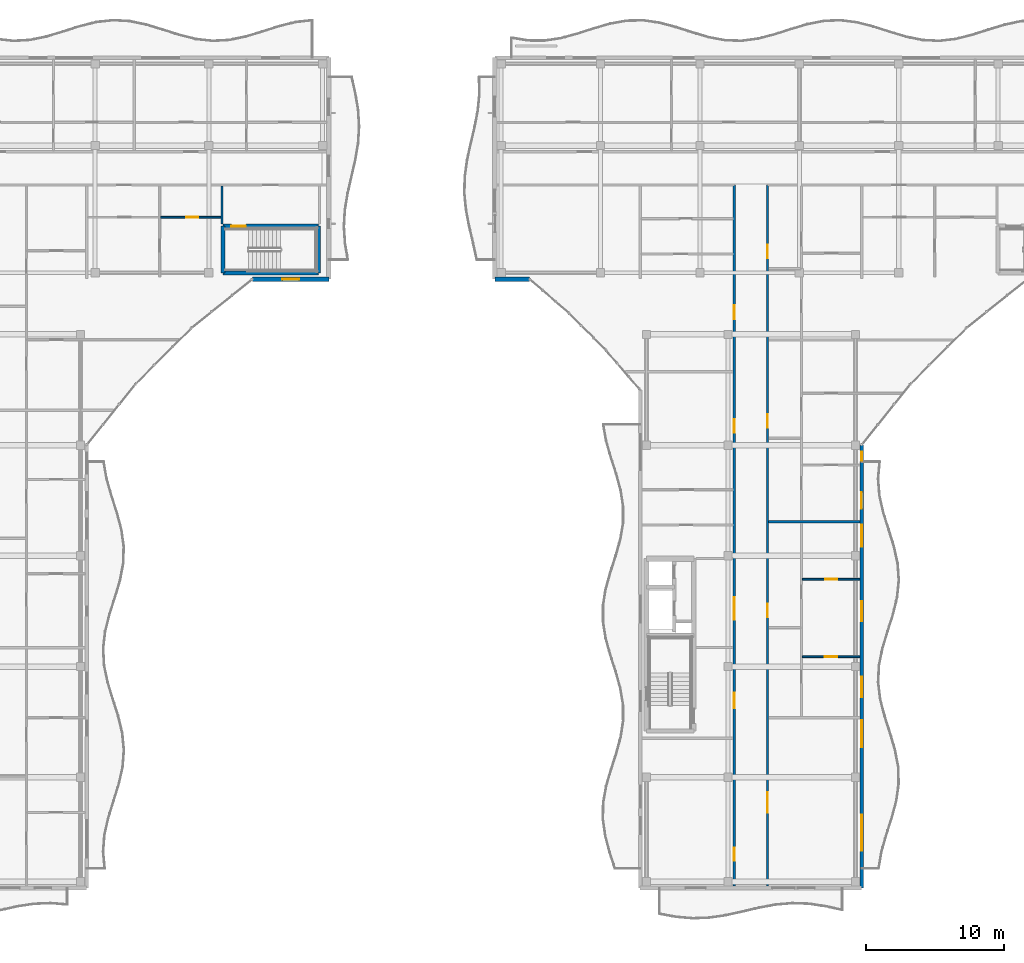
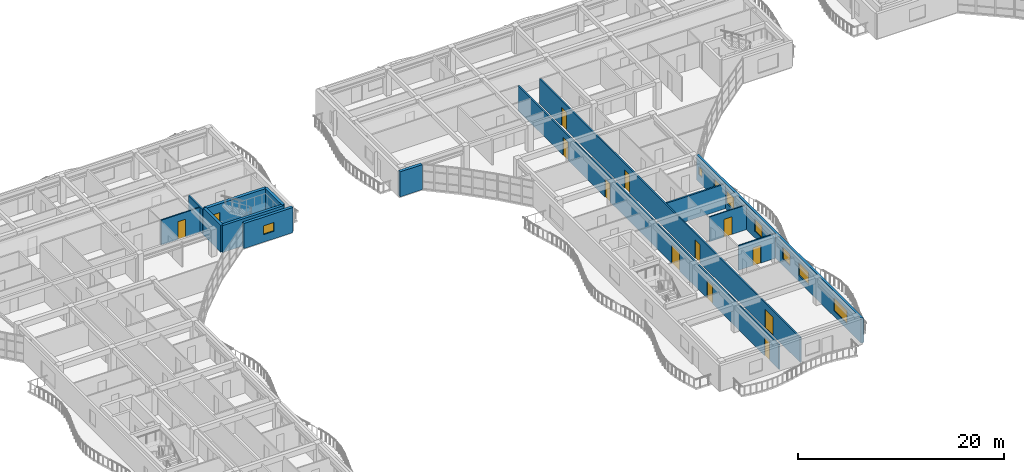
# One storey, part 39 of 76: 14 doors, 14 walls, 7 windows, 21 openings.
"""IFC4 building model written with IfcOpenShell, lengths in metres."""

import ifcopenshell
import ifcopenshell.guid

model = None  # the IFC model being written
_history = None  # IfcOwnerHistory: only IFC2X3 demands one
_inside = {}  # id of a spatial element -> (the spatial element, [elements in it])
_under = {}  # id of a project, library or spatial element -> (it, [spatial elements below it])
_declared = {}  # id of a project -> (the project, [libraries it declares])
_typed = {}  # id of a type object -> (the type object, [elements of that type])
_made_of = {}  # id of a material, layer set ... -> (it, [elements and type objects made of it])


def new_model(schema):
    """Start an empty IFC model of exactly this schema.

    Asked for "IFC4X3", IfcOpenShell would pick the latest addendum, in which some entities
    have other attributes; the version numbers below select the first issue.
    IFC2X3 requires an IfcOwnerHistory on every rooted entity: one is made here for all.
    """
    global model, _history
    if schema == "IFC4X3":
        model = ifcopenshell.file(schema_version=(4, 3, 0, 0))
    else:
        model = ifcopenshell.file(schema=schema)
    _inside.clear()
    _under.clear()
    _declared.clear()
    _typed.clear()
    _made_of.clear()
    _history = None
    if model.schema == "IFC2X3":
        org = make("IfcOrganization", Name="unknown")
        user = make(
            "IfcPersonAndOrganization",
            ThePerson=make("IfcPerson", FamilyName="unknown"),
            TheOrganization=org,
        )
        app = make(
            "IfcApplication",
            ApplicationDeveloper=org,
            Version="unknown",
            ApplicationFullName="unknown",
            ApplicationIdentifier="unknown",
        )
        _history = make(
            "IfcOwnerHistory",
            OwningUser=user,
            OwningApplication=app,
            ChangeAction="ADDED",
            CreationDate=0,
        )
    return model


def make(cls, **values):
    """One entity of the class cls with the attributes given. An attribute that is None is left unset."""
    return model.create_entity(
        cls, **{name: value for name, value in values.items() if value is not None}
    )


def rooted(cls, **values):
    """An entity with a GlobalId (a new one), such as an element, a storey or a relation."""
    return make(cls, GlobalId=ifcopenshell.guid.new(), OwnerHistory=_history, **values)


def si_unit(unit_type, name, prefix=None):
    """IfcSIUnit, for example si_unit("LENGTHUNIT", "METRE", prefix="MILLI")."""
    return make("IfcSIUnit", UnitType=unit_type, Prefix=prefix, Name=name)


def assignment(units):
    """IfcUnitAssignment: the units of a project."""
    return None if units is None else make("IfcUnitAssignment", Units=units)


def point(xyz):
    """IfcCartesianPoint."""
    return None if xyz is None else make("IfcCartesianPoint", Coordinates=xyz)


def direction(xyz):
    """IfcDirection."""
    return None if xyz is None else make("IfcDirection", DirectionRatios=xyz)


def frame(location, z_axis=None, x_axis=None):
    """IfcAxis2Placement3D, a coordinate frame: its origin and axes. An axis left out is left unset."""
    return make(
        "IfcAxis2Placement3D",
        Location=point(location),
        Axis=direction(z_axis),
        RefDirection=direction(x_axis),
    )


def frame_2d(location, x_axis=None):
    """IfcAxis2Placement2D, a coordinate frame in the plane: its origin and x axis."""
    return make(
        "IfcAxis2Placement2D", Location=point(location), RefDirection=direction(x_axis)
    )


def origin():
    """The frame at (0, 0, 0) with its axes left unset."""
    return frame((0.0, 0.0, 0.0))


def place(relative_to, where):
    """IfcLocalPlacement: puts the frame where relative to a parent placement (None: the world)."""
    return make(
        "IfcLocalPlacement", PlacementRelTo=relative_to, RelativePlacement=where
    )


def context(
    kind, dimensions, precision=None, world=None, true_north=None, identifier=None
):
    """IfcGeometricRepresentationContext, for example the 3D "Model" context."""
    return make(
        "IfcGeometricRepresentationContext",
        ContextIdentifier=identifier,
        ContextType=kind,
        CoordinateSpaceDimension=dimensions,
        Precision=precision,
        WorldCoordinateSystem=world,
        TrueNorth=true_north,
    )


def subcontext(parent, identifier, kind, view, scale=None):
    """IfcGeometricRepresentationSubContext, for example "Body" below "Model"."""
    return make(
        "IfcGeometricRepresentationSubContext",
        ContextIdentifier=identifier,
        ContextType=kind,
        ParentContext=parent,
        TargetScale=scale,
        TargetView=view,
    )


def project(units=None, contexts=None):
    """IfcProject with its units and contexts."""
    return rooted(
        "IfcProject",
        Name="project",
        RepresentationContexts=contexts,
        UnitsInContext=assignment(units),
    )


def spatial(cls, under=None, at=None, **own):
    """A site, building, storey or space (cls), placed at a placement, below another one or the project."""
    s = rooted(cls, ObjectPlacement=at, **own)
    if under is not None:
        _under.setdefault(under.id(), (under, []))[1].append(s)
    return s


def profile(cls, at=None, kind="AREA", **sizes):
    """A parametric profile (cls). Its sizes go by their IFC names, for example OverallWidth=200.0."""
    return make(cls, ProfileType=kind, Position=at, **sizes)


def rectangle(**sizes):
    """IfcRectangleProfileDef."""
    return profile("IfcRectangleProfileDef", **sizes)


def extrude(swept, where, along, depth):
    """IfcExtrudedAreaSolid: the profile swept, set in the frame where, extruded along a direction by depth."""
    return make(
        "IfcExtrudedAreaSolid",
        SweptArea=swept,
        Position=where,
        ExtrudedDirection=direction(along),
        Depth=depth,
    )


def shape(context_of_items, identifier, shape_type, items):
    """IfcShapeRepresentation: the items that make up one representation, for example the "Body"."""
    return make(
        "IfcShapeRepresentation",
        ContextOfItems=context_of_items,
        RepresentationIdentifier=identifier,
        RepresentationType=shape_type,
        Items=items,
    )


def material(Name=None, Category=None):
    """IfcMaterial."""
    return make("IfcMaterial", Name=Name, Category=Category)


def layer(
    of_material, thickness, ventilated=None, Name=None, Category=None, Priority=None
):
    """IfcMaterialLayer: one layer of a wall or slab, of a material (None: an air gap)."""
    return make(
        "IfcMaterialLayer",
        Material=of_material,
        LayerThickness=thickness,
        IsVentilated=ventilated,
        Name=Name,
        Category=Category,
        Priority=Priority,
    )


def layer_set(layers, Name=None):
    """IfcMaterialLayerSet."""
    return make("IfcMaterialLayerSet", MaterialLayers=layers, LayerSetName=Name)


def made_of(thing, what):
    """Note that an element or type object is made of a material, layer set ...; save() writes the relation."""
    if what is not None:
        _made_of.setdefault(what.id(), (what, []))[1].append(thing)
    return thing


def type_object(cls, material=None, **own):
    """A type object (cls), such as IfcWallType, which elements share."""
    return made_of(rooted(cls, **own), material)


def element(
    cls,
    number,
    at=None,
    inside=None,
    cuts=None,
    type_object=None,
    material=None,
    context=None,
    identifier="Body",
    shape_type=None,
    held_by="IfcProductDefinitionShape",
    body=None,
    shapes=None,
    **own,
):
    """One element of the class cls, such as IfcWall. Its Tag is "e" and its number.

    at: its placement. inside: the storey or other place that contains it. cuts: it is an
    opening in that element (IfcRelVoidsElement). A single representation is given by context,
    identifier, shape_type and body (its items); several are given by shapes. held_by: the class
    of the entity that holds the representations. save() writes the other relations.
    """
    e = rooted(cls, Tag="e%d" % number, ObjectPlacement=at, **own)
    if body is not None:
        shapes = [shape(context, identifier, shape_type, body)]
    if shapes is not None:
        e.Representation = make(held_by, Representations=shapes)
    if inside is not None:
        _inside.setdefault(inside.id(), (inside, []))[1].append(e)
    if cuts is not None:
        rooted(
            "IfcRelVoidsElement", RelatingBuildingElement=cuts, RelatedOpeningElement=e
        )
    if type_object is not None:
        _typed.setdefault(type_object.id(), (type_object, []))[1].append(e)
    return made_of(e, material)


def fill(opening, filler):
    """IfcRelFillsElement: the door or window that sits in an opening."""
    return rooted(
        "IfcRelFillsElement",
        RelatingOpeningElement=opening,
        RelatedBuildingElement=filler,
    )


def aggregate(whole, parts):
    """IfcRelAggregates: a whole, such as a stair, and the parts it consists of."""
    return rooted("IfcRelAggregates", RelatingObject=whole, RelatedObjects=parts)


def save(model, path):
    """Write the relations noted so far, then the file.

    IfcRelAggregates (storeys below a building ...), IfcRelContainedInSpatialStructure (elements
    in a storey), IfcRelDefinesByType, IfcRelAssociatesMaterial and IfcRelDeclares: one each for
    every whole, place, type object, material and project.
    """
    for whole, parts in _under.values():
        aggregate(whole, parts)
    for where, things in _inside.values():
        rooted(
            "IfcRelContainedInSpatialStructure",
            RelatedElements=things,
            RelatingStructure=where,
        )
    for kind, things in _typed.values():
        rooted("IfcRelDefinesByType", RelatedObjects=things, RelatingType=kind)
    for what, things in _made_of.values():
        rooted("IfcRelAssociatesMaterial", RelatedObjects=things, RelatingMaterial=what)
    for by, libraries in _declared.values():
        rooted("IfcRelDeclares", RelatingContext=by, RelatedDefinitions=libraries)
    model.write(path)


model = new_model("IFC4")

# Units and contexts
model_context = context("Model", 3, precision=1e-05, world=origin(), true_north=direction((0.0, 1.0)))
body_context = subcontext(model_context, "Body", "Model", "MODEL_VIEW")
ifc_project = project(units=[si_unit("LENGTHUNIT", "METRE"), si_unit("AREAUNIT", "SQUARE_METRE"), si_unit("VOLUMEUNIT", "CUBIC_METRE"), si_unit("PLANEANGLEUNIT", "RADIAN"), si_unit("MASSUNIT", "GRAM", prefix="KILO")], contexts=[model_context])

# Site, building, storey
site_placement = place(None, origin())
site = spatial("IfcSite", under=ifc_project, at=site_placement, CompositionType="ELEMENT")
building_placement = place(site_placement, origin())
building = spatial("IfcBuilding", under=site, at=building_placement, Name="Keldmere Railside Commons", CompositionType="ELEMENT")
storey_placement = place(building_placement, frame((0.0, 0.0, 13.760009765625)))
storey = spatial("IfcBuildingStorey", under=building, at=storey_placement, Name="L04", CompositionType="ELEMENT", Elevation=13.760009765625)

# Wall
ifc_material_1 = material(Name="Acoustic Gypsum Board Partition", Category="gypsum")
ifc_layer_1 = layer(ifc_material_1, 0.179931640625, Name="Acoustic Demising Partition 180")
ifc_layer_set_1 = layer_set([ifc_layer_1], Name="Acoustic Gypsum Board Partition")
wall_type_1 = type_object("IfcWallType", Name="Acoustic Demising Partition 180", PredefinedType="PARTITIONING", material=ifc_layer_set_1)
wall_1_placement = place(storey_placement, frame((113.280029296875, 82.449951171875, 0.0), z_axis=(0.0, 0.0, 1.0), x_axis=(1.0, 0.0, 0.0)))
element("IfcWall", 1, at=wall_1_placement, inside=storey, type_object=wall_type_1, Name="IW-1 IW-L04-1064", PredefinedType="PARTITIONING", context=body_context, shape_type="SweptSolid", body=[
    extrude(rectangle(XDim=6.590087890625, YDim=0.179931640625, at=frame_2d((3.294921875, 0.0))), origin(), (0.0, 0.0, 1.0), 2.93505859375),
])

# Wall, opening, door
ifc_layer_2 = layer(ifc_material_1, 0.1201171875, Name="Apartment Interior Partition 120")
ifc_layer_set_2 = layer_set([ifc_layer_2], Name="Acoustic Gypsum Board Partition")
wall_type_2 = type_object("IfcWallType", Name="Apartment Interior Partition 120", PredefinedType="PARTITIONING", material=ifc_layer_set_2)
wall_2_placement = place(storey_placement, frame((115.719970703125, 72.7099609375, 0.0), z_axis=(0.0, 0.0, 1.0), x_axis=(1.0, 0.0, 0.0)))
wall_2 = element("IfcWall", 2, at=wall_2_placement, inside=storey, type_object=wall_type_2, Name="IW-4 IW-L04-1068", PredefinedType="PARTITIONING", context=body_context, shape_type="SweptSolid", body=[
    extrude(rectangle(XDim=4.150146484375, YDim=0.1201171875, at=frame_2d((2.0751953125, 0.0))), origin(), (0.0, 0.0, 1.0), 2.93505859375),
])
opening_1_placement = place(wall_2_placement, frame((1.625, 0.0, 0.0)))
opening_1 = element("IfcOpeningElement", 3, at=opening_1_placement, cuts=wall_2, Name="Opening ID-01", PredefinedType="OPENING", context=body_context, shape_type="SweptSolid", body=[
    extrude(rectangle(XDim=0.89990234375, YDim=2.10009765625, at=frame_2d((0.449951171875, 1.050048828125))), frame((0.0, 0.070068359375, 0.0), z_axis=(0.0, -1.0, 0.0), x_axis=(1.0, 0.0, 0.0)), (0.0, 0.0, 1.0), 0.14013671875),
])
ifc_material_2 = material(Name="Engineered Oak Timber", Category="wood")
door_type_1 = type_object("IfcDoorType", Name="Primary Bedroom Door 900x2100", OperationType="NOTDEFINED", PredefinedType="DOOR", material=ifc_material_2)
door_1_placement = place(opening_1_placement, origin())
door_1 = element("IfcDoor", 4, at=door_1_placement, inside=storey, type_object=door_type_1, Name="ID-01 IDR-L04-0933", OperationType="SINGLE_SWING_LEFT", OverallHeight=2.10009765625, OverallWidth=0.89990234375, PredefinedType="DOOR", context=body_context, shape_type="SweptSolid", body=[
    extrude(rectangle(XDim=0.89990234375, YDim=2.10009765625, at=frame_2d((0.449951171875, 1.050048828125))), frame((0.0, 0.02490234375, 0.0), z_axis=(0.0, -1.0, 0.0), x_axis=(1.0, 0.0, 0.0)), (0.0, 0.0, 1.0), 0.050048828125),
])
fill(opening_1, door_1)

wall_3_placement = place(storey_placement, frame((115.719970703125, 78.31005859375, 0.0), z_axis=(0.0, 0.0, 1.0), x_axis=(1.0, 0.0, 0.0)))
wall_3 = element("IfcWall", 5, at=wall_3_placement, inside=storey, type_object=wall_type_2, Name="IW-4 IW-L04-1069", PredefinedType="PARTITIONING", context=body_context, shape_type="SweptSolid", body=[
    extrude(rectangle(XDim=4.150146484375, YDim=0.1201171875, at=frame_2d((2.0751953125, 0.0))), origin(), (0.0, 0.0, 1.0), 2.93505859375),
])
opening_2_placement = place(wall_3_placement, frame((1.635009765625, 0.0, 0.0)))
opening_2 = element("IfcOpeningElement", 6, at=opening_2_placement, cuts=wall_3, Name="Opening ID-02", PredefinedType="OPENING", context=body_context, shape_type="SweptSolid", body=[
    extrude(rectangle(XDim=0.8798828125, YDim=2.10009765625, at=frame_2d((0.43994140625, 1.050048828125))), frame((0.0, 0.070068359375, 0.0), z_axis=(0.0, -1.0, 0.0), x_axis=(1.0, 0.0, 0.0)), (0.0, 0.0, 1.0), 0.14013671875),
])
door_type_2 = type_object("IfcDoorType", Name="Secondary Bedroom Door 880x2100", OperationType="NOTDEFINED", PredefinedType="DOOR", material=ifc_material_2)
door_2_placement = place(opening_2_placement, origin())
door_2 = element("IfcDoor", 7, at=door_2_placement, inside=storey, type_object=door_type_2, Name="ID-02 IDR-L04-0934", OperationType="SINGLE_SWING_RIGHT", OverallHeight=2.10009765625, OverallWidth=0.8798828125, PredefinedType="DOOR", context=body_context, shape_type="SweptSolid", body=[
    extrude(rectangle(XDim=0.8798828125, YDim=2.10009765625, at=frame_2d((0.43994140625, 1.050048828125))), frame((0.0, 0.02490234375, 0.0), z_axis=(0.0, -1.0, 0.0), x_axis=(1.0, 0.0, 0.0)), (0.0, 0.0, 1.0), 0.050048828125),
])
fill(opening_2, door_2)

# Wall, openings, doors
ifc_layer_3 = layer(ifc_material_1, 0.159912109375, Name="Corridor Fire Partition 160")
ifc_layer_set_3 = layer_set([ifc_layer_3], Name="Acoustic Gypsum Board Partition")
wall_type_3 = type_object("IfcWallType", Name="Corridor Fire Partition 160", PredefinedType="PARTITIONING", material=ifc_layer_set_3)
wall_4_placement = place(storey_placement, frame((110.800048828125, 56.159912109375, 0.0), z_axis=(0.0, 0.0, 1.0), x_axis=(0.0, 1.0, 0.0)))
wall_4 = element("IfcWall", 8, at=wall_4_placement, inside=storey, type_object=wall_type_3, Name="IW-2 IW-L04-1054", PredefinedType="PARTITIONING", context=body_context, shape_type="SweptSolid", body=[
    extrude(rectangle(XDim=50.64013671875, YDim=0.159912109375, at=frame_2d((25.320068359375, 0.0))), origin(), (0.0, 0.0, 1.0), 2.93505859375),
])
opening_3_placement = place(wall_4_placement, frame((12.840087890625, 0.0, 0.0)))
opening_3 = element("IfcOpeningElement", 9, at=opening_3_placement, cuts=wall_4, Name="Opening FD-2", PredefinedType="OPENING", context=body_context, shape_type="SweptSolid", body=[
    extrude(rectangle(XDim=1.10009765625, YDim=2.14990234375, at=frame_2d((0.550048828125, 1.074951171875))), frame((0.0, 0.08984375, 0.0), z_axis=(0.0, -1.0, 0.0), x_axis=(1.0, 0.0, 0.0)), (0.0, 0.0, 1.0), 0.179931640625),
])
opening_4_placement = place(wall_4_placement, frame((19.239990234375, 0.0, 0.0)))
opening_4 = element("IfcOpeningElement", 10, at=opening_4_placement, cuts=wall_4, Name="Opening FD-4", PredefinedType="OPENING", context=body_context, shape_type="SweptSolid", body=[
    extrude(rectangle(XDim=1.60009765625, YDim=2.14990234375, at=frame_2d((0.800048828125, 1.074951171875))), frame((0.0, 0.08984375, 0.0), z_axis=(0.0, -1.0, 0.0), x_axis=(1.0, 0.0, 0.0)), (0.0, 0.0, 1.0), 0.179931640625),
])
opening_5_placement = place(wall_4_placement, frame((1.800048828125, 0.0, 0.0)))
opening_5 = element("IfcOpeningElement", 11, at=opening_5_placement, cuts=wall_4, Name="Opening ID-08", PredefinedType="OPENING", context=body_context, shape_type="SweptSolid", body=[
    extrude(rectangle(XDim=0.9599609375, YDim=2.14990234375, at=frame_2d((0.47998046875, 1.074951171875))), frame((0.0, 0.08984375, 0.0), z_axis=(0.0, -1.0, 0.0), x_axis=(1.0, 0.0, 0.0)), (0.0, 0.0, 1.0), 0.179931640625),
])
opening_6_placement = place(wall_4_placement, frame((32.7451171875, 0.0, 0.0)))
opening_6 = element("IfcOpeningElement", 12, at=opening_6_placement, cuts=wall_4, Name="Opening FD-7", PredefinedType="OPENING", context=body_context, shape_type="SweptSolid", body=[
    extrude(rectangle(XDim=0.97998046875, YDim=2.14990234375, at=frame_2d((0.489990234375, 1.074951171875))), frame((0.0, 0.08984375, 0.0), z_axis=(0.0, -1.0, 0.0), x_axis=(1.0, 0.0, 0.0)), (0.0, 0.0, 1.0), 0.179931640625),
])
opening_7_placement = place(wall_4_placement, frame((40.955078125, 0.0, 0.0)))
opening_7 = element("IfcOpeningElement", 13, at=opening_7_placement, cuts=wall_4, Name="Opening FD-7", PredefinedType="OPENING", context=body_context, shape_type="SweptSolid", body=[
    extrude(rectangle(XDim=0.97998046875, YDim=2.14990234375, at=frame_2d((0.489990234375, 1.074951171875))), frame((0.0, 0.08984375, 0.0), z_axis=(0.0, -1.0, 0.0), x_axis=(1.0, 0.0, 0.0)), (0.0, 0.0, 1.0), 0.179931640625),
])
door_type_3 = type_object("IfcDoorType", Name="Apartment Entrance Acoustic Fire Door 980x2150", OperationType="NOTDEFINED", PredefinedType="DOOR", material=ifc_material_2)
door_3_placement = place(opening_6_placement, origin())
door_3 = element("IfcDoor", 14, at=door_3_placement, inside=storey, type_object=door_type_3, Name="FD-7 IDR-L04-0961", OperationType="SINGLE_SWING_LEFT", OverallHeight=2.14990234375, OverallWidth=0.97998046875, PredefinedType="DOOR", context=body_context, shape_type="SweptSolid", body=[
    extrude(rectangle(XDim=0.97998046875, YDim=2.14990234375, at=frame_2d((0.489990234375, 1.074951171875))), frame((0.0, 0.02490234375, 0.0), z_axis=(0.0, -1.0, 0.0), x_axis=(1.0, 0.0, 0.0)), (0.0, 0.0, 1.0), 0.050048828125),
])
fill(opening_6, door_3)
door_4_placement = place(opening_7_placement, origin())
door_4 = element("IfcDoor", 15, at=door_4_placement, inside=storey, type_object=door_type_3, Name="FD-7 IDR-L04-0964", OperationType="SINGLE_SWING_RIGHT", OverallHeight=2.14990234375, OverallWidth=0.97998046875, PredefinedType="DOOR", context=body_context, shape_type="SweptSolid", body=[
    extrude(rectangle(XDim=0.97998046875, YDim=2.14990234375, at=frame_2d((0.489990234375, 1.074951171875))), frame((0.0, 0.02490234375, 0.0), z_axis=(0.0, -1.0, 0.0), x_axis=(1.0, 0.0, 0.0)), (0.0, 0.0, 1.0), 0.050048828125),
])
fill(opening_7, door_4)
ifc_material_3 = material(Name="Steel F-24 (S235)", Category="steel")
door_type_4 = type_object("IfcDoorType", Name="Corridor Cross-Compartment Double Fire Door 1600x2150", OperationType="DOUBLE_DOOR_SINGLE_SWING", PredefinedType="DOOR", material=ifc_material_3)
door_5_placement = place(opening_4_placement, origin())
door_5 = element("IfcDoor", 16, at=door_5_placement, inside=storey, type_object=door_type_4, Name="FD-4 IDR-L04-0928", OperationType="DOUBLE_DOOR_SINGLE_SWING", OverallHeight=2.14990234375, OverallWidth=1.60009765625, PredefinedType="DOOR", context=body_context, shape_type="SweptSolid", body=[
    extrude(rectangle(XDim=1.60009765625, YDim=2.14990234375, at=frame_2d((0.800048828125, 1.074951171875))), frame((0.0, 0.02490234375, 0.0), z_axis=(0.0, -1.0, 0.0), x_axis=(1.0, 0.0, 0.0)), (0.0, 0.0, 1.0), 0.050048828125),
])
fill(opening_4, door_5)
door_type_5 = type_object("IfcDoorType", Name="Firefighting Lobby Fire Door 1100x2150", OperationType="NOTDEFINED", PredefinedType="DOOR", material=ifc_material_3)
door_6_placement = place(opening_3_placement, origin())
door_6 = element("IfcDoor", 17, at=door_6_placement, inside=storey, type_object=door_type_5, Name="FD-2 IDR-L04-0927", OperationType="SINGLE_SWING_LEFT", OverallHeight=2.14990234375, OverallWidth=1.10009765625, PredefinedType="DOOR", context=body_context, shape_type="SweptSolid", body=[
    extrude(rectangle(XDim=1.10009765625, YDim=2.14990234375, at=frame_2d((0.550048828125, 1.074951171875))), frame((0.0, 0.02490234375, 0.0), z_axis=(0.0, -1.0, 0.0), x_axis=(1.0, 0.0, 0.0)), (0.0, 0.0, 1.0), 0.050048828125),
])
fill(opening_3, door_6)
door_type_6 = type_object("IfcDoorType", Name="Study & Meeting Room Door 960x2150", OperationType="NOTDEFINED", PredefinedType="DOOR", material=ifc_material_2)
door_7_placement = place(opening_5_placement, origin())
door_7 = element("IfcDoor", 18, at=door_7_placement, inside=storey, type_object=door_type_6, Name="ID-08 IDR-L04-0958", OperationType="SINGLE_SWING_RIGHT", OverallHeight=2.14990234375, OverallWidth=0.9599609375, PredefinedType="DOOR", context=body_context, shape_type="SweptSolid", body=[
    extrude(rectangle(XDim=0.9599609375, YDim=2.14990234375, at=frame_2d((0.47998046875, 1.074951171875))), frame((0.0, 0.02490234375, 0.0), z_axis=(0.0, -1.0, 0.0), x_axis=(1.0, 0.0, 0.0)), (0.0, 0.0, 1.0), 0.050048828125),
])
fill(opening_5, door_7)

wall_5_placement = place(storey_placement, frame((113.199951171875, 56.159912109375, 0.0), z_axis=(0.0, 0.0, 1.0), x_axis=(0.0, 1.0, 0.0)))
wall_5 = element("IfcWall", 19, at=wall_5_placement, inside=storey, type_object=wall_type_3, Name="IW-2 IW-L04-1055", PredefinedType="PARTITIONING", context=body_context, shape_type="SweptSolid", body=[
    extrude(rectangle(XDim=50.64013671875, YDim=0.159912109375, at=frame_2d((25.320068359375, 0.0))), origin(), (0.0, 0.0, 1.0), 2.93505859375),
])
opening_8_placement = place(wall_5_placement, frame((5.27001953125, 0.0, 0.0)))
opening_8 = element("IfcOpeningElement", 20, at=opening_8_placement, cuts=wall_5, Name="Opening ID-07", PredefinedType="OPENING", context=body_context, shape_type="SweptSolid", body=[
    extrude(rectangle(XDim=1.5, YDim=2.199951171875, at=frame_2d((0.75, 1.10009765625))), frame((0.0, 0.08984375, 0.0), z_axis=(0.0, -1.0, 0.0), x_axis=(1.0, 0.0, 0.0)), (0.0, 0.0, 1.0), 0.179931640625),
])
opening_9_placement = place(wall_5_placement, frame((19.39990234375, 0.0, 0.0)))
opening_9 = element("IfcOpeningElement", 21, at=opening_9_placement, cuts=wall_5, Name="Opening FD-7", PredefinedType="OPENING", context=body_context, shape_type="SweptSolid", body=[
    extrude(rectangle(XDim=0.97998046875, YDim=2.14990234375, at=frame_2d((0.489990234375, 1.074951171875))), frame((0.0, 0.08984375, 0.0), z_axis=(0.0, -1.0, 0.0), x_axis=(1.0, 0.0, 0.0)), (0.0, 0.0, 1.0), 0.179931640625),
])
opening_10_placement = place(wall_5_placement, frame((33.10009765625, 0.0, 0.0)))
opening_10 = element("IfcOpeningElement", 22, at=opening_10_placement, cuts=wall_5, Name="Opening FD-7", PredefinedType="OPENING", context=body_context, shape_type="SweptSolid", body=[
    extrude(rectangle(XDim=0.97998046875, YDim=2.14990234375, at=frame_2d((0.489990234375, 1.074951171875))), frame((0.0, 0.08984375, 0.0), z_axis=(0.0, -1.0, 0.0), x_axis=(1.0, 0.0, 0.0)), (0.0, 0.0, 1.0), 0.179931640625),
])
opening_11_placement = place(wall_5_placement, frame((45.35009765625, 0.0, 0.0)))
opening_11 = element("IfcOpeningElement", 23, at=opening_11_placement, cuts=wall_5, Name="Opening FD-7", PredefinedType="OPENING", context=body_context, shape_type="SweptSolid", body=[
    extrude(rectangle(XDim=0.97998046875, YDim=2.14990234375, at=frame_2d((0.489990234375, 1.074951171875))), frame((0.0, 0.08984375, 0.0), z_axis=(0.0, -1.0, 0.0), x_axis=(1.0, 0.0, 0.0)), (0.0, 0.0, 1.0), 0.179931640625),
])
door_8_placement = place(opening_9_placement, origin())
door_8 = element("IfcDoor", 24, at=door_8_placement, inside=storey, type_object=door_type_3, Name="FD-7 IDR-L04-0932", OperationType="SINGLE_SWING_RIGHT", OverallHeight=2.14990234375, OverallWidth=0.97998046875, PredefinedType="DOOR", context=body_context, shape_type="SweptSolid", body=[
    extrude(rectangle(XDim=0.97998046875, YDim=2.14990234375, at=frame_2d((0.489990234375, 1.074951171875))), frame((0.0, 0.02490234375, 0.0), z_axis=(0.0, -1.0, 0.0), x_axis=(1.0, 0.0, 0.0)), (0.0, 0.0, 1.0), 0.050048828125),
])
fill(opening_9, door_8)
door_9_placement = place(opening_10_placement, origin())
door_9 = element("IfcDoor", 25, at=door_9_placement, inside=storey, type_object=door_type_3, Name="FD-7 IDR-L04-0937", OperationType="SINGLE_SWING_LEFT", OverallHeight=2.14990234375, OverallWidth=0.97998046875, PredefinedType="DOOR", context=body_context, shape_type="SweptSolid", body=[
    extrude(rectangle(XDim=0.97998046875, YDim=2.14990234375, at=frame_2d((0.489990234375, 1.074951171875))), frame((0.0, 0.02490234375, 0.0), z_axis=(0.0, -1.0, 0.0), x_axis=(1.0, 0.0, 0.0)), (0.0, 0.0, 1.0), 0.050048828125),
])
fill(opening_10, door_9)
door_10_placement = place(opening_11_placement, origin())
door_10 = element("IfcDoor", 26, at=door_10_placement, inside=storey, type_object=door_type_3, Name="FD-7 IDR-L04-0942", OperationType="SINGLE_SWING_RIGHT", OverallHeight=2.14990234375, OverallWidth=0.97998046875, PredefinedType="DOOR", context=body_context, shape_type="SweptSolid", body=[
    extrude(rectangle(XDim=0.97998046875, YDim=2.14990234375, at=frame_2d((0.489990234375, 1.074951171875))), frame((0.0, 0.02490234375, 0.0), z_axis=(0.0, -1.0, 0.0), x_axis=(1.0, 0.0, 0.0)), (0.0, 0.0, 1.0), 0.050048828125),
])
fill(opening_11, door_10)
door_type_7 = type_object("IfcDoorType", Name="Resident Lounge Double Door 1500x2200", OperationType="DOUBLE_DOOR_SINGLE_SWING", PredefinedType="DOOR", material=ifc_material_2)
door_11_placement = place(opening_8_placement, origin())
door_11 = element("IfcDoor", 27, at=door_11_placement, inside=storey, type_object=door_type_7, Name="ID-07 IDR-L04-0929", OperationType="DOUBLE_DOOR_SINGLE_SWING", OverallHeight=2.199951171875, OverallWidth=1.5, PredefinedType="DOOR", context=body_context, shape_type="SweptSolid", body=[
    extrude(rectangle(XDim=1.5, YDim=2.199951171875, at=frame_2d((0.75, 1.10009765625))), frame((0.0, 0.02490234375, 0.0), z_axis=(0.0, -1.0, 0.0), x_axis=(1.0, 0.0, 0.0)), (0.0, 0.0, 1.0), 0.050048828125),
])
fill(opening_8, door_11)

# Wall, opening, window
ifc_material_4 = material(Name="Concrete H-35 (C35/45)", Category="concrete")
ifc_layer_4 = layer(ifc_material_4, 0.320068359375, Name="Exterior Shear Wall 320")
ifc_layer_set_4 = layer_set([ifc_layer_4], Name="Concrete H-35 (C35/45)")
wall_type_4 = type_object("IfcWallType", Name="Exterior Shear Wall 320", PredefinedType="SHEAR", material=ifc_layer_set_4)
wall_6_placement = place(storey_placement, frame((81.5, 100.0, 0.0), z_axis=(0.0, 0.0, 1.0), x_axis=(-1.0, 0.0, 0.0)))
wall_6 = element("IfcWall", 28, at=wall_6_placement, inside=storey, type_object=wall_type_4, Name="ESW-2 EXTC-L04-0355", PredefinedType="SHEAR", context=body_context, shape_type="SweptSolid", body=[
    extrude(rectangle(XDim=5.5, YDim=0.320068359375, at=frame_2d((2.75, 0.0))), origin(), (0.0, 0.0, 1.0), 2.97998046875),
])
opening_12_placement = place(wall_6_placement, frame((2.14990234375, 0.0, 0.89990234375)))
opening_12 = element("IfcOpeningElement", 29, at=opening_12_placement, cuts=wall_6, Name="Opening WN-14", PredefinedType="OPENING", context=body_context, shape_type="SweptSolid", body=[
    extrude(rectangle(XDim=1.199951171875, YDim=1.050048828125, at=frame_2d((0.60009765625, 0.52490234375))), frame((0.0, 0.169921875, 0.0), z_axis=(0.0, -1.0, 0.0), x_axis=(1.0, 0.0, 0.0)), (0.0, 0.0, 1.0), 0.340087890625),
])
ifc_material_5 = material(Name="Low-E Insulated Double Glazing", Category="glass")
window_type_1 = type_object("IfcWindowType", Name="Apartment Kitchen Ribbon Window 1200x1050", PartitioningType="SINGLE_PANEL", PredefinedType="WINDOW", material=ifc_material_5)
window_1_placement = place(opening_12_placement, origin())
window_1 = element("IfcWindow", 30, at=window_1_placement, inside=storey, type_object=window_type_1, Name="WN-14 WIN-L04-0234", OverallHeight=1.050048828125, OverallWidth=1.199951171875, PartitioningType="SINGLE_PANEL", PredefinedType="WINDOW", context=body_context, shape_type="SweptSolid", body=[
    extrude(rectangle(XDim=1.199951171875, YDim=1.050048828125, at=frame_2d((0.60009765625, 0.52490234375))), frame((0.0, 0.030029296875, 0.0), z_axis=(0.0, -1.0, 0.0), x_axis=(1.0, 0.0, 0.0)), (0.0, 0.0, 1.0), 0.06005859375),
])
fill(opening_12, window_1)

# Walls
wall_7_placement = place(storey_placement, frame((96.0, 100.0, 0.0), z_axis=(0.0, 0.0, 1.0), x_axis=(-1.0, 0.0, 0.0)))
element("IfcWall", 31, at=wall_7_placement, inside=storey, type_object=wall_type_4, Name="ESW-2 EXTB-L04-0617", PredefinedType="SHEAR", context=body_context, shape_type="SweptSolid", body=[
    extrude(rectangle(XDim=2.5, YDim=0.320068359375, at=frame_2d((1.25, 0.0))), origin(), (0.0, 0.0, 1.0), 2.97998046875),
])
ifc_layer_5 = layer(ifc_material_4, 0.300048828125, Name="Interior Shear Wall 300")
ifc_layer_set_5 = layer_set([ifc_layer_5], Name="Concrete H-35 (C35/45)")
wall_type_5 = type_object("IfcWallType", Name="Interior Shear Wall 300", PredefinedType="SHEAR", material=ifc_layer_set_5)
wall_8_placement = place(storey_placement, frame((73.85009765625, 100.449951171875, 0.0), z_axis=(0.0, 0.0, 1.0), x_axis=(1.0, 0.0, 0.0)))
element("IfcWall", 32, at=wall_8_placement, inside=storey, type_object=wall_type_5, Name="ISW-2 COREC2S-L04-0254", PredefinedType="SHEAR", context=body_context, shape_type="SweptSolid", body=[
    extrude(rectangle(XDim=6.89990234375, YDim=0.300048828125, at=frame_2d((3.449951171875, 0.0))), origin(), (0.0, 0.0, 1.0), 3.199951171875),
])
for number, where, z_axis, x_axis, name in (
    (33, (73.85009765625, 103.820068359375, 0.0), (0.0, 0.0, 1.0), (0.0, -1.0, 0.0), "ISW-2 COREC2W-L04-0256"),
    (34, (80.75, 100.449951171875, 0.0), (0.0, 0.0, 1.0), (0.0, 1.0, 0.0), "ISW-2 COREC2E-L04-0257"),
):
    element("IfcWall", number, at=place(storey_placement, frame(where, z_axis=z_axis, x_axis=x_axis)), inside=storey, type_object=wall_type_5, Name=name, PredefinedType="SHEAR", context=body_context, shape_type="SweptSolid", body=[
        extrude(rectangle(XDim=3.3701171875, YDim=0.300048828125, at=frame_2d((1.68505859375, 0.0))), origin(), (0.0, 0.0, 1.0), 3.199951171875),
    ])

# Wall, opening, door
ifc_layer_6 = layer(ifc_material_4, 0.340087890625, Name="Interior Shear Wall 340")
ifc_layer_set_6 = layer_set([ifc_layer_6], Name="Concrete H-35 (C35/45)")
wall_type_6 = type_object("IfcWallType", Name="Interior Shear Wall 340", PredefinedType="SHEAR", material=ifc_layer_set_6)
wall_9_placement = place(storey_placement, frame((80.75, 103.820068359375, 0.0), z_axis=(0.0, 0.0, 1.0), x_axis=(-1.0, 0.0, 0.0)))
wall_9 = element("IfcWall", 35, at=wall_9_placement, inside=storey, type_object=wall_type_6, Name="ISW-1 COREC2N-L04-0255", PredefinedType="SHEAR", context=body_context, shape_type="SweptSolid", body=[
    extrude(rectangle(XDim=6.89990234375, YDim=0.340087890625, at=frame_2d((3.449951171875, 0.0))), origin(), (0.0, 0.0, 1.0), 3.199951171875),
])
opening_13_placement = place(wall_9_placement, frame((5.25, 0.0, 0.0)))
opening_13 = element("IfcOpeningElement", 36, at=opening_13_placement, cuts=wall_9, Name="Opening FD-1", PredefinedType="OPENING", context=body_context, shape_type="SweptSolid", body=[
    extrude(rectangle(XDim=1.050048828125, YDim=2.14990234375, at=frame_2d((0.52490234375, 1.074951171875))), frame((0.0, 0.179931640625, 0.0), z_axis=(0.0, -1.0, 0.0), x_axis=(1.0, 0.0, 0.0)), (0.0, 0.0, 1.0), 0.360107421875),
])
door_type_8 = type_object("IfcDoorType", Name="Stair Core Fire Door 1050x2150", OperationType="NOTDEFINED", PredefinedType="DOOR", material=ifc_material_3)
door_12_placement = place(opening_13_placement, origin())
door_12 = element("IfcDoor", 37, at=door_12_placement, inside=storey, type_object=door_type_8, Name="FD-1 C2 L04", OperationType="SINGLE_SWING_RIGHT", OverallHeight=2.14990234375, OverallWidth=1.050048828125, PredefinedType="DOOR", context=body_context, shape_type="SweptSolid", body=[
    extrude(rectangle(XDim=1.050048828125, YDim=2.14990234375, at=frame_2d((0.52490234375, 1.074951171875))), frame((0.0, 0.02490234375, 0.0), z_axis=(0.0, -1.0, 0.0), x_axis=(1.0, 0.0, 0.0)), (0.0, 0.0, 1.0), 0.050048828125),
])
fill(opening_13, door_12)

# Wall
ifc_layer_7 = layer(ifc_material_1, 0.14990234375, Name="Lobby Rated Partition 150")
ifc_layer_set_7 = layer_set([ifc_layer_7], Name="Acoustic Gypsum Board Partition")
wall_type_7 = type_object("IfcWallType", Name="Lobby Rated Partition 150", PredefinedType="PARTITIONING", material=ifc_layer_set_7)
wall_10_placement = place(storey_placement, frame((73.780029296875, 103.989990234375, 0.0), z_axis=(0.0, 0.0, 1.0), x_axis=(0.0, 1.0, 0.0)))
element("IfcWall", 38, at=wall_10_placement, inside=storey, type_object=wall_type_7, Name="IW-3 IW-L04-0646", PredefinedType="PARTITIONING", context=body_context, shape_type="SweptSolid", body=[
    extrude(rectangle(XDim=2.72998046875, YDim=0.14990234375, at=frame_2d((1.364990234375, 0.0))), origin(), (0.0, 0.0, 1.0), 2.93505859375),
])

# Wall, openings, windows, door
ifc_material_6 = material(Name="Terracotta Brick Masonry", Category="masonry")
ifc_layer_8 = layer(ifc_material_6, 0.260009765625, Name="Terracotta Cavity Wall 260")
ifc_layer_set_8 = layer_set([ifc_layer_8], Name="Terracotta Brick Masonry")
wall_type_8 = type_object("IfcWallType", Name="Terracotta Cavity Wall 260", PredefinedType="SOLIDWALL", material=ifc_layer_set_8)
wall_11_placement = place(storey_placement, frame((120.0, 88.0, 0.0), z_axis=(0.0, 0.0, 1.0), x_axis=(0.0, -1.0, 0.0)))
wall_11 = element("IfcWall", 39, at=wall_11_placement, inside=storey, type_object=wall_type_8, Name="EW-1 EXTB-L04-0612", PredefinedType="SOLIDWALL", context=body_context, shape_type="SweptSolid", body=[
    extrude(rectangle(XDim=32.0, YDim=0.260009765625, at=frame_2d((16.0, 0.0))), origin(), (0.0, 0.0, 1.0), 2.97998046875),
])
opening_14_placement = place(wall_11_placement, frame((3.39990234375, 0.0, 0.0)))
opening_14 = element("IfcOpeningElement", 40, at=opening_14_placement, cuts=wall_11, Name="Opening BD-01", PredefinedType="OPENING", context=body_context, shape_type="SweptSolid", body=[
    extrude(rectangle(XDim=1.199951171875, YDim=2.199951171875, at=frame_2d((0.60009765625, 1.10009765625))), frame((0.0, 0.139892578125, 0.0), z_axis=(0.0, -1.0, 0.0), x_axis=(1.0, 0.0, 0.0)), (0.0, 0.0, 1.0), 0.280029296875),
])
opening_15_placement = place(wall_11_placement, frame((5.75, 0.0, 0.77001953125)))
opening_15 = element("IfcOpeningElement", 41, at=opening_15_placement, cuts=wall_11, Name="Opening WN-04", PredefinedType="OPENING", context=body_context, shape_type="SweptSolid", body=[
    extrude(rectangle(XDim=1.60009765625, YDim=1.449951171875, at=frame_2d((0.800048828125, 0.72509765625))), frame((0.0, 0.139892578125, 0.0), z_axis=(0.0, -1.0, 0.0), x_axis=(1.0, 0.0, 0.0)), (0.0, 0.0, 1.0), 0.280029296875),
])
opening_16_placement = place(wall_11_placement, frame((11.27490234375, 0.0, 0.77001953125)))
opening_16 = element("IfcOpeningElement", 42, at=opening_16_placement, cuts=wall_11, Name="Opening WN-24", PredefinedType="OPENING", context=body_context, shape_type="SweptSolid", body=[
    extrude(rectangle(XDim=1.449951171875, YDim=1.449951171875, at=frame_2d((0.72509765625, 0.72509765625))), frame((0.0, 0.139892578125, 0.0), z_axis=(0.0, -1.0, 0.0), x_axis=(1.0, 0.0, 0.0)), (0.0, 0.0, 1.0), 0.280029296875),
])
opening_17_placement = place(wall_11_placement, frame((19.875, 0.0, 0.719970703125)))
opening_17 = element("IfcOpeningElement", 43, at=opening_17_placement, cuts=wall_11, Name="Opening WN-38", PredefinedType="OPENING", context=body_context, shape_type="SweptSolid", body=[
    extrude(rectangle(XDim=1.949951171875, YDim=1.5, at=frame_2d((0.97509765625, 0.75))), frame((0.0, 0.139892578125, 0.0), z_axis=(0.0, -1.0, 0.0), x_axis=(1.0, 0.0, 0.0)), (0.0, 0.0, 1.0), 0.280029296875),
])
opening_18_placement = place(wall_11_placement, frame((26.699951171875, 0.0, 0.669921875)))
opening_18 = element("IfcOpeningElement", 44, at=opening_18_placement, cuts=wall_11, Name="Opening WN-39", PredefinedType="OPENING", context=body_context, shape_type="SweptSolid", body=[
    extrude(rectangle(XDim=2.60009765625, YDim=1.550048828125, at=frame_2d((1.300048828125, 0.77490234375))), frame((0.0, 0.139892578125, 0.0), z_axis=(0.0, -1.0, 0.0), x_axis=(1.0, 0.0, 0.0)), (0.0, 0.0, 1.0), 0.280029296875),
])
opening_19_placement = place(wall_11_placement, frame((16.72998046875, 0.0, 0.820068359375)))
opening_19 = element("IfcOpeningElement", 45, at=opening_19_placement, cuts=wall_11, Name="Opening WN-06", PredefinedType="OPENING", context=body_context, shape_type="SweptSolid", body=[
    extrude(rectangle(XDim=1.5, YDim=1.39990234375, at=frame_2d((0.75, 0.699951171875))), frame((0.0, 0.139892578125, 0.0), z_axis=(0.0, -1.0, 0.0), x_axis=(1.0, 0.0, 0.0)), (0.0, 0.0, 1.0), 0.280029296875),
])
opening_20_placement = place(wall_11_placement, frame((0.4599609375, 0.0, 0.89990234375)))
opening_20 = element("IfcOpeningElement", 46, at=opening_20_placement, cuts=wall_11, Name="Opening WN-15", PredefinedType="OPENING", context=body_context, shape_type="SweptSolid", body=[
    extrude(rectangle(XDim=0.64990234375, YDim=0.949951171875, at=frame_2d((0.324951171875, 0.47509765625))), frame((0.0, 0.139892578125, 0.0), z_axis=(0.0, -1.0, 0.0), x_axis=(1.0, 0.0, 0.0)), (0.0, 0.0, 1.0), 0.280029296875),
])
window_type_2 = type_object("IfcWindowType", Name="Adaptable Apartment Wide Window 1950x1500", PartitioningType="SINGLE_PANEL", PredefinedType="WINDOW", material=ifc_material_5)
window_2_placement = place(opening_17_placement, origin())
window_2 = element("IfcWindow", 47, at=window_2_placement, inside=storey, type_object=window_type_2, Name="WN-38 WIN-L04-0421", OverallHeight=1.5, OverallWidth=1.949951171875, PartitioningType="SINGLE_PANEL", PredefinedType="WINDOW", context=body_context, shape_type="SweptSolid", body=[
    extrude(rectangle(XDim=1.949951171875, YDim=1.5, at=frame_2d((0.97509765625, 0.75))), frame((0.0, 0.030029296875, 0.0), z_axis=(0.0, -1.0, 0.0), x_axis=(1.0, 0.0, 0.0)), (0.0, 0.0, 1.0), 0.06005859375),
])
fill(opening_17, window_2)
ifc_material_7 = material(Name="Thermally Broken Aluminium", Category="aluminium")
door_type_9 = type_object("IfcDoorType", Name="Apartment Living Wave-Balcony Glazed Door 1200x2200", OperationType="NOTDEFINED", PredefinedType="DOOR", material=ifc_material_7)
door_13_placement = place(opening_14_placement, origin())
door_13 = element("IfcDoor", 48, at=door_13_placement, inside=storey, type_object=door_type_9, Name="BD-01 DR-L04-0153", OperationType="SINGLE_SWING_LEFT", OverallHeight=2.199951171875, OverallWidth=1.199951171875, PredefinedType="DOOR", context=body_context, shape_type="SweptSolid", body=[
    extrude(rectangle(XDim=1.199951171875, YDim=2.199951171875, at=frame_2d((0.60009765625, 1.10009765625))), frame((0.0, 0.02490234375, 0.0), z_axis=(0.0, -1.0, 0.0), x_axis=(1.0, 0.0, 0.0)), (0.0, 0.0, 1.0), 0.050048828125),
])
fill(opening_14, door_13)
window_type_3 = type_object("IfcWindowType", Name="Exterior Bathroom Frosted Window 650x950", PartitioningType="SINGLE_PANEL", PredefinedType="WINDOW", material=ifc_material_5)
window_3_placement = place(opening_20_placement, origin())
window_3 = element("IfcWindow", 49, at=window_3_placement, inside=storey, type_object=window_type_3, Name="WN-15 WIN-L04-9034", OverallHeight=0.949951171875, OverallWidth=0.64990234375, PartitioningType="SINGLE_PANEL", PredefinedType="WINDOW", context=body_context, shape_type="SweptSolid", body=[
    extrude(rectangle(XDim=0.64990234375, YDim=0.949951171875, at=frame_2d((0.324951171875, 0.47509765625))), frame((0.0, 0.030029296875, 0.0), z_axis=(0.0, -1.0, 0.0), x_axis=(1.0, 0.0, 0.0)), (0.0, 0.0, 1.0), 0.06005859375),
])
fill(opening_20, window_3)
window_type_4 = type_object("IfcWindowType", Name="Living Room West Shaded Window 1600x1450", PartitioningType="SINGLE_PANEL", PredefinedType="WINDOW", material=ifc_material_5)
window_4_placement = place(opening_15_placement, origin())
window_4 = element("IfcWindow", 50, at=window_4_placement, inside=storey, type_object=window_type_4, Name="WN-04 WIN-L04-0419", OverallHeight=1.449951171875, OverallWidth=1.60009765625, PartitioningType="SINGLE_PANEL", PredefinedType="WINDOW", context=body_context, shape_type="SweptSolid", body=[
    extrude(rectangle(XDim=1.60009765625, YDim=1.449951171875, at=frame_2d((0.800048828125, 0.72509765625))), frame((0.0, 0.030029296875, 0.0), z_axis=(0.0, -1.0, 0.0), x_axis=(1.0, 0.0, 0.0)), (0.0, 0.0, 1.0), 0.06005859375),
])
fill(opening_15, window_4)
window_type_5 = type_object("IfcWindowType", Name="Primary Bedroom North Window 1500x1400", PartitioningType="SINGLE_PANEL", PredefinedType="WINDOW", material=ifc_material_5)
window_5_placement = place(opening_19_placement, origin())
window_5 = element("IfcWindow", 51, at=window_5_placement, inside=storey, type_object=window_type_5, Name="WN-06 WIN-L04-9033", OverallHeight=1.39990234375, OverallWidth=1.5, PartitioningType="SINGLE_PANEL", PredefinedType="WINDOW", context=body_context, shape_type="SweptSolid", body=[
    extrude(rectangle(XDim=1.5, YDim=1.39990234375, at=frame_2d((0.75, 0.699951171875))), frame((0.0, 0.030029296875, 0.0), z_axis=(0.0, -1.0, 0.0), x_axis=(1.0, 0.0, 0.0)), (0.0, 0.0, 1.0), 0.06005859375),
])
fill(opening_19, window_5)
window_type_6 = type_object("IfcWindowType", Name="Setback Terrace Bedroom Window 1450x1450", PartitioningType="SINGLE_PANEL", PredefinedType="WINDOW", material=ifc_material_5)
window_6_placement = place(opening_16_placement, origin())
window_6 = element("IfcWindow", 52, at=window_6_placement, inside=storey, type_object=window_type_6, Name="WN-24 WIN-L04-0420", OverallHeight=1.449951171875, OverallWidth=1.449951171875, PartitioningType="SINGLE_PANEL", PredefinedType="WINDOW", context=body_context, shape_type="SweptSolid", body=[
    extrude(rectangle(XDim=1.449951171875, YDim=1.449951171875, at=frame_2d((0.72509765625, 0.72509765625))), frame((0.0, 0.030029296875, 0.0), z_axis=(0.0, -1.0, 0.0), x_axis=(1.0, 0.0, 0.0)), (0.0, 0.0, 1.0), 0.06005859375),
])
fill(opening_16, window_6)
window_type_7 = type_object("IfcWindowType", Name="Three-Bed Corner Living Window 2600x1550", PartitioningType="SINGLE_PANEL", PredefinedType="WINDOW", material=ifc_material_5)
window_7_placement = place(opening_18_placement, origin())
window_7 = element("IfcWindow", 53, at=window_7_placement, inside=storey, type_object=window_type_7, Name="WN-39 WIN-L04-0422", OverallHeight=1.550048828125, OverallWidth=2.60009765625, PartitioningType="SINGLE_PANEL", PredefinedType="WINDOW", context=body_context, shape_type="SweptSolid", body=[
    extrude(rectangle(XDim=2.60009765625, YDim=1.550048828125, at=frame_2d((1.300048828125, 0.77490234375))), frame((0.0, 0.030029296875, 0.0), z_axis=(0.0, -1.0, 0.0), x_axis=(1.0, 0.0, 0.0)), (0.0, 0.0, 1.0), 0.06005859375),
])
fill(opening_18, window_7)

# Wall, opening, door
ifc_layer_9 = layer(ifc_material_1, 0.139892578125, Name="Wet-Room Sanitary Partition 140")
ifc_layer_set_9 = layer_set([ifc_layer_9], Name="Acoustic Gypsum Board Partition")
wall_type_9 = type_object("IfcWallType", Name="Wet-Room Sanitary Partition 140", PredefinedType="PARTITIONING", material=ifc_layer_set_9)
wall_12_placement = place(storey_placement, frame((69.340087890625, 104.469970703125, 0.0), z_axis=(0.0, 0.0, 1.0), x_axis=(1.0, 0.0, 0.0)))
wall_12 = element("IfcWall", 54, at=wall_12_placement, inside=storey, type_object=wall_type_9, Name="IW-5 IW-L04-0674", PredefinedType="PARTITIONING", context=body_context, shape_type="SweptSolid", body=[
    extrude(rectangle(XDim=4.35986328125, YDim=0.139892578125, at=frame_2d((2.179931640625, 0.0))), origin(), (0.0, 0.0, 1.0), 2.93505859375),
])
opening_21_placement = place(wall_12_placement, frame((1.8564453125, 0.0, 0.0)))
opening_21 = element("IfcOpeningElement", 55, at=opening_21_placement, cuts=wall_12, Name="Opening ID-04", PredefinedType="OPENING", context=body_context, shape_type="SweptSolid", body=[
    extrude(rectangle(XDim=0.860107421875, YDim=2.10009765625, at=frame_2d((0.43017578125, 1.050048828125))), frame((0.0, 0.079833984375, 0.0), z_axis=(0.0, -1.0, 0.0), x_axis=(1.0, 0.0, 0.0)), (0.0, 0.0, 1.0), 0.159912109375),
])
door_type_10 = type_object("IfcDoorType", Name="Apartment Bathroom Door 860x2100", OperationType="NOTDEFINED", PredefinedType="DOOR", material=ifc_material_2)
door_14_placement = place(opening_21_placement, origin())
door_14 = element("IfcDoor", 56, at=door_14_placement, inside=storey, type_object=door_type_10, Name="ID-04 IDR-L04-0567", OperationType="SINGLE_SWING_LEFT", OverallHeight=2.10009765625, OverallWidth=0.860107421875, PredefinedType="DOOR", context=body_context, shape_type="SweptSolid", body=[
    extrude(rectangle(XDim=0.860107421875, YDim=2.10009765625, at=frame_2d((0.43017578125, 1.050048828125))), frame((0.0, 0.02490234375, 0.0), z_axis=(0.0, -1.0, 0.0), x_axis=(1.0, 0.0, 0.0)), (0.0, 0.0, 1.0), 0.050048828125),
])
fill(opening_21, door_14)

save(model, "model.ifc")
